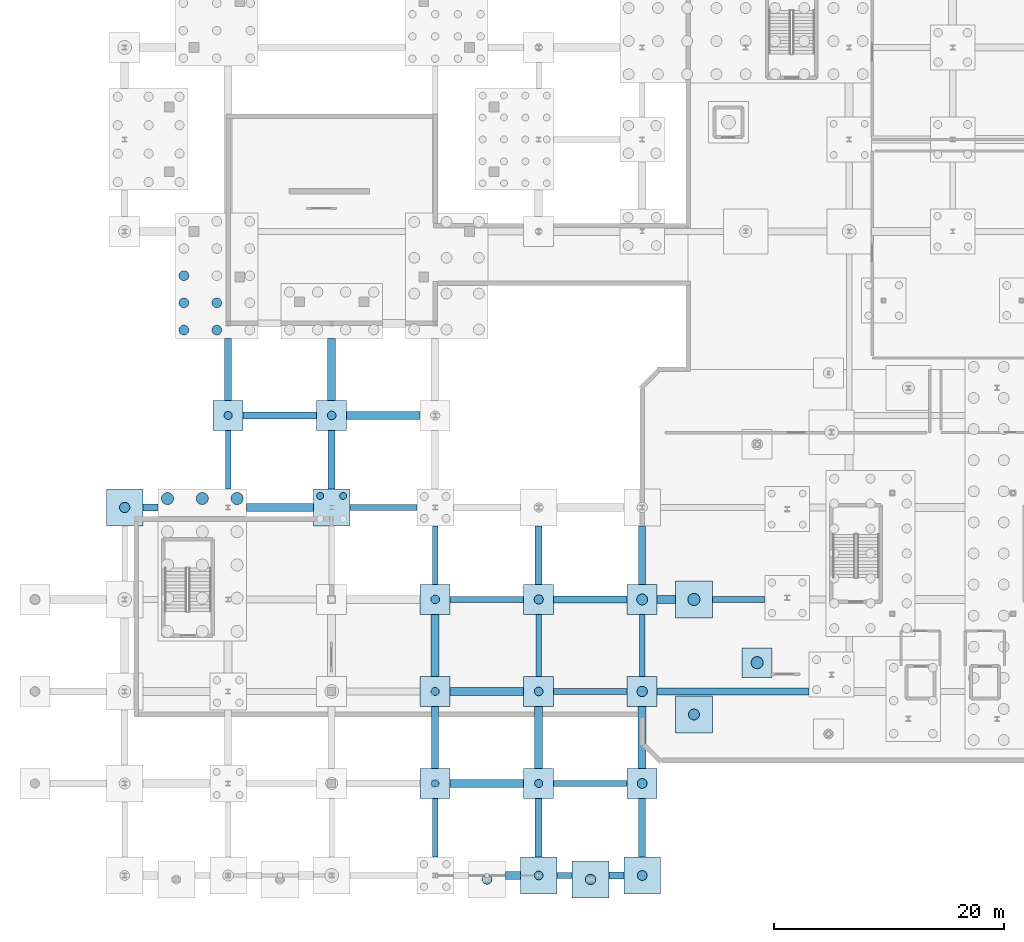
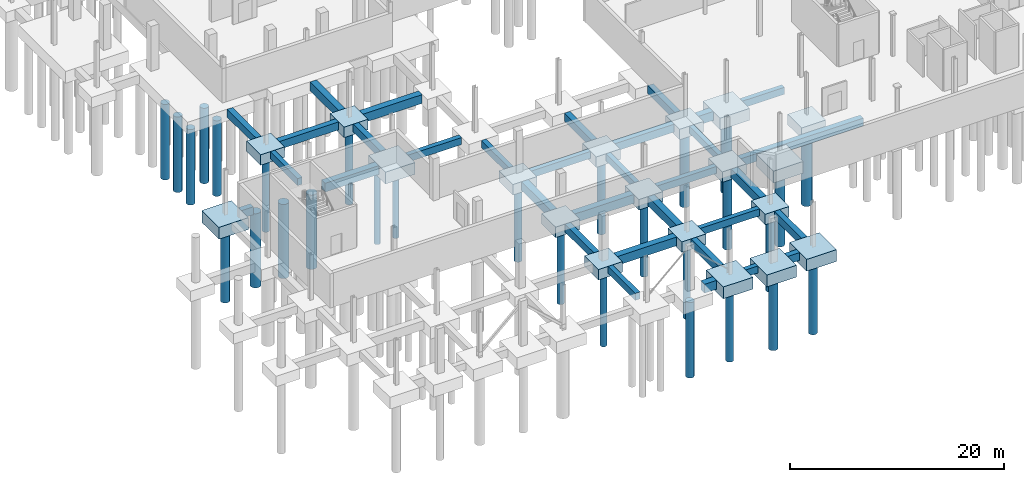
# One storey, part 2 of 37: 52 footings, 29 piles.
"""IFC4 building model written with IfcOpenShell, lengths in metres."""

from ifc_helpers import new_model, si_unit, direction, frame, origin, origin_2d, place, context, subcontext, project, spatial, polyline, rectangle, circle, outline, extrude, material, material_profile, profile_set, type_object, element, save


model = new_model("IFC4")

# Units and contexts
model_context = context("Model", 3, precision=1e-05, world=origin(), true_north=direction((0.0, 1.0)))
body_context = subcontext(model_context, "Body", "Model", "MODEL_VIEW")
ifc_project = project(units=[si_unit("LENGTHUNIT", "METRE"), si_unit("AREAUNIT", "SQUARE_METRE"), si_unit("VOLUMEUNIT", "CUBIC_METRE"), si_unit("PLANEANGLEUNIT", "RADIAN"), si_unit("MASSUNIT", "GRAM", prefix="KILO"), si_unit("THERMODYNAMICTEMPERATUREUNIT", "KELVIN"), si_unit("POWERUNIT", "WATT")], contexts=[model_context])

# Site, building, storey
site_placement = place(None, origin())
site = spatial("IfcSite", under=ifc_project, at=site_placement, CompositionType="ELEMENT")
building_placement = place(site_placement, origin())
building = spatial("IfcBuilding", under=site, at=building_placement, Name="Zelmaris Science Centre", CompositionType="ELEMENT")
storey_placement = place(building_placement, frame((0.0, 0.0, -4.800048828125)))
storey = spatial("IfcBuildingStorey", under=building, at=storey_placement, Name="B1", CompositionType="ELEMENT", Elevation=-4.800048828125)

# Footings
ifc_material = material(Name="Concrete C40/50", Category="concrete")
ifc_material_profile_1 = material_profile(ifc_material, rectangle(XDim=0.5, YDim=0.800048828125, at=origin_2d()), Name="FB-500X800")
ifc_profile_set_1 = profile_set([ifc_material_profile_1], Name="Concrete C40/50")
footing_type_1 = type_object("IfcFootingType", Name="Foundation Tie Beam FB-01 500x800", PredefinedType="FOOTING_BEAM", material=ifc_profile_set_1)
for number, where, z_axis, x_axis, name in (
    (1, (18.0, 41.60009765625, -0.75), (0.0, 1.0, 0.0), (-1.0, 0.0, 0.0), "Foundation tie beam 10"),
    (2, (36.0, 9.60009765625, -0.75), (0.0, 1.0, 0.0), (-1.0, 0.0, 0.0), "Foundation tie beam 19"),
    (3, (36.0, 33.300048828125, -0.75), (0.0, 1.0, 0.0), (-1.0, 0.0, 0.0), "Foundation tie beam 22"),
):
    element("IfcFooting", number, at=place(storey_placement, frame(where, z_axis=z_axis, x_axis=x_axis)), inside=storey, type_object=footing_type_1, Name=name, PredefinedType="FOOTING_BEAM", context=body_context, shape_type="SweptSolid", body=[
        extrude(rectangle(XDim=0.5, YDim=0.800048828125, at=origin_2d()), origin(), (0.0, 0.0, 1.0), 5.099853515625),
    ])
for number, where, z_axis, x_axis, name in (
    (4, (45.0, 25.300048828125, -0.75), (0.0, 1.0, 0.0), (-1.0, 0.0, 0.0), "Foundation tie beam 28"),
    (5, (54.0, 25.300048828125, -0.75), (0.0, 1.0, 0.0), (-1.0, 0.0, 0.0), "Foundation tie beam 34"),
):
    element("IfcFooting", number, at=place(storey_placement, frame(where, z_axis=z_axis, x_axis=x_axis)), inside=storey, type_object=footing_type_1, Name=name, PredefinedType="FOOTING_BEAM", context=body_context, shape_type="SweptSolid", body=[
        extrude(rectangle(XDim=0.5, YDim=0.800048828125, at=origin_2d()), origin(), (0.0, 0.0, 1.0), 5.39990234375),
    ])
footing_1_placement = place(storey_placement, frame((46.60009765625, 8.0, -0.75), z_axis=(1.0, 0.0, 0.0), x_axis=(0.0, 1.0, 0.0)))
element("IfcFooting", 6, at=footing_1_placement, inside=storey, type_object=footing_type_1, Name="Foundation tie beam 91", PredefinedType="FOOTING_BEAM", context=body_context, shape_type="SweptSolid", body=[
    extrude(rectangle(XDim=0.5, YDim=0.800048828125, at=origin_2d()), origin(), (0.0, 0.0, 1.0), 1.2998046875),
])
for number, where, z_axis, x_axis, name in (
    (7, (46.300048828125, 16.0, -0.75), (1.0, 0.0, 0.0), (0.0, 1.0, 0.0), "Foundation tie beam 103"),
    (8, (46.300048828125, 24.0, -0.75), (1.0, 0.0, 0.0), (0.0, 1.0, 0.0), "Foundation tie beam 115"),
    (9, (37.300048828125, 32.0, -0.75), (1.0, 0.0, 0.0), (0.0, 1.0, 0.0), "Foundation tie beam 130"),
):
    element("IfcFooting", number, at=place(storey_placement, frame(where, z_axis=z_axis, x_axis=x_axis)), inside=storey, type_object=footing_type_1, Name=name, PredefinedType="FOOTING_BEAM", context=body_context, shape_type="SweptSolid", body=[
        extrude(rectangle(XDim=0.5, YDim=0.800048828125, at=origin_2d()), origin(), (0.0, 0.0, 1.0), 6.39990234375),
    ])
footing_2_placement = place(storey_placement, frame((60.10009765625, 32.0, -0.75), z_axis=(1.0, 0.0, 0.0), x_axis=(0.0, 1.0, 0.0)))
element("IfcFooting", 10, at=footing_2_placement, inside=storey, type_object=footing_type_1, Name="Foundation tie beam 133", PredefinedType="FOOTING_BEAM", context=body_context, shape_type="SweptSolid", body=[
    extrude(rectangle(XDim=0.5, YDim=0.800048828125, at=origin_2d()), origin(), (0.0, 0.0, 1.0), 4.557861328125),
])
footing_3_placement = place(storey_placement, frame((28.60009765625, 40.0, -0.75), z_axis=(1.0, 0.0, 0.0), x_axis=(0.0, 1.0, 0.0)))
element("IfcFooting", 11, at=footing_3_placement, inside=storey, type_object=footing_type_1, Name="Foundation tie beam 145", PredefinedType="FOOTING_BEAM", context=body_context, shape_type="SweptSolid", body=[
    extrude(rectangle(XDim=0.5, YDim=0.800048828125, at=origin_2d()), origin(), (0.0, 0.0, 1.0), 5.7998046875),
])
ifc_material_profile_2 = material_profile(ifc_material, rectangle(XDim=0.60009765625, YDim=0.89990234375, at=origin_2d()), Name="FB-600X900")
ifc_profile_set_2 = profile_set([ifc_material_profile_2], Name="Concrete C40/50")
footing_type_2 = type_object("IfcFootingType", Name="Foundation Tie Beam FB-02 600x900", PredefinedType="FOOTING_BEAM", material=ifc_profile_set_2)
footing_4_placement = place(storey_placement, frame((18.0, 49.300048828125, -0.800048828125), z_axis=(0.0, 1.0, 0.0), x_axis=(-1.0, 0.0, 0.0)))
element("IfcFooting", 12, at=footing_4_placement, inside=storey, type_object=footing_type_2, Name="Foundation tie beam 11", PredefinedType="FOOTING_BEAM", context=body_context, shape_type="SweptSolid", body=[
    extrude(rectangle(XDim=0.60009765625, YDim=0.89990234375, at=origin_2d()), origin(), (0.0, 0.0, 1.0), 5.39990234375),
])
footing_5_placement = place(storey_placement, frame((27.0, 41.60009765625, -0.800048828125), z_axis=(0.0, 1.0, 0.0), x_axis=(-1.0, 0.0, 0.0)))
element("IfcFooting", 13, at=footing_5_placement, inside=storey, type_object=footing_type_2, Name="Foundation tie beam 17", PredefinedType="FOOTING_BEAM", context=body_context, shape_type="SweptSolid", body=[
    extrude(rectangle(XDim=0.60009765625, YDim=0.89990234375, at=origin_2d()), origin(), (0.0, 0.0, 1.0), 5.099853515625),
])
footing_6_placement = place(storey_placement, frame((36.0, 17.300048828125, -0.800048828125), z_axis=(0.0, 1.0, 0.0), x_axis=(-1.0, 0.0, 0.0)))
element("IfcFooting", 14, at=footing_6_placement, inside=storey, type_object=footing_type_2, Name="Foundation tie beam 20", PredefinedType="FOOTING_BEAM", context=body_context, shape_type="SweptSolid", body=[
    extrude(rectangle(XDim=0.60009765625, YDim=0.89990234375, at=origin_2d()), origin(), (0.0, 0.0, 1.0), 5.39990234375),
])
for number, where, z_axis, x_axis, name in (
    (15, (45.0, 9.60009765625, -0.800048828125), (0.0, 1.0, 0.0), (-1.0, 0.0, 0.0), "Foundation tie beam 26"),
    (16, (45.0, 33.300048828125, -0.800048828125), (0.0, 1.0, 0.0), (-1.0, 0.0, 0.0), "Foundation tie beam 29"),
    (17, (54.0, 9.60009765625, -0.800048828125), (0.0, 1.0, 0.0), (-1.0, 0.0, 0.0), "Foundation tie beam 32"),
    (18, (54.0, 33.300048828125, -0.800048828125), (0.0, 1.0, 0.0), (-1.0, 0.0, 0.0), "Foundation tie beam 35"),
):
    element("IfcFooting", number, at=place(storey_placement, frame(where, z_axis=z_axis, x_axis=x_axis)), inside=storey, type_object=footing_type_2, Name=name, PredefinedType="FOOTING_BEAM", context=body_context, shape_type="SweptSolid", body=[
        extrude(rectangle(XDim=0.60009765625, YDim=0.89990234375, at=origin_2d()), origin(), (0.0, 0.0, 1.0), 5.099853515625),
    ])
footing_7_placement = place(storey_placement, frame((51.10009765625, 8.0, -0.800048828125), z_axis=(1.0, 0.0, 0.0), x_axis=(0.0, 1.0, 0.0)))
element("IfcFooting", 19, at=footing_7_placement, inside=storey, type_object=footing_type_2, Name="Foundation tie beam 92", PredefinedType="FOOTING_BEAM", context=body_context, shape_type="SweptSolid", body=[
    extrude(rectangle(XDim=0.60009765625, YDim=0.89990234375, at=origin_2d()), origin(), (0.0, 0.0, 1.0), 1.2998046875),
])
footing_8_placement = place(storey_placement, frame((55.300048828125, 24.0, -0.800048828125), z_axis=(1.0, 0.0, 0.0), x_axis=(0.0, 1.0, 0.0)))
element("IfcFooting", 20, at=footing_8_placement, inside=storey, type_object=footing_type_2, Name="Foundation tie beam 116", PredefinedType="FOOTING_BEAM", context=body_context, shape_type="SweptSolid", body=[
    extrude(rectangle(XDim=0.60009765625, YDim=0.89990234375, at=origin_2d()), origin(), (0.0, 0.0, 1.0), 13.2138671875),
])
footing_9_placement = place(storey_placement, frame((46.300048828125, 32.0, -0.800048828125), z_axis=(1.0, 0.0, 0.0), x_axis=(0.0, 1.0, 0.0)))
element("IfcFooting", 21, at=footing_9_placement, inside=storey, type_object=footing_type_2, Name="Foundation tie beam 131", PredefinedType="FOOTING_BEAM", context=body_context, shape_type="SweptSolid", body=[
    extrude(rectangle(XDim=0.60009765625, YDim=0.89990234375, at=origin_2d()), origin(), (0.0, 0.0, 1.0), 6.39990234375),
])
footing_10_placement = place(storey_placement, frame((10.60009765625, 40.0, -0.800048828125), z_axis=(1.0, 0.0, 0.0), x_axis=(0.0, 1.0, 0.0)))
element("IfcFooting", 22, at=footing_10_placement, inside=storey, type_object=footing_type_2, Name="Foundation tie beam 143", PredefinedType="FOOTING_BEAM", context=body_context, shape_type="SweptSolid", body=[
    extrude(rectangle(XDim=0.60009765625, YDim=0.89990234375, at=origin_2d()), origin(), (0.0, 0.0, 1.0), 1.2998046875),
])
footing_11_placement = place(storey_placement, frame((19.300048828125, 48.0, -0.800048828125), z_axis=(1.0, 0.0, 0.0), x_axis=(0.0, 1.0, 0.0)))
element("IfcFooting", 23, at=footing_11_placement, inside=storey, type_object=footing_type_2, Name="Foundation tie beam 155", PredefinedType="FOOTING_BEAM", context=body_context, shape_type="SweptSolid", body=[
    extrude(rectangle(XDim=0.60009765625, YDim=0.89990234375, at=origin_2d()), origin(), (0.0, 0.0, 1.0), 6.39990234375),
])
ifc_material_profile_3 = material_profile(ifc_material, rectangle(XDim=0.699951171875, YDim=1.0, at=origin_2d()), Name="FB-700X1000")
ifc_profile_set_3 = profile_set([ifc_material_profile_3], Name="Concrete C40/50")
footing_type_3 = type_object("IfcFootingType", Name="Foundation Tie Beam FB-03 700x1000", PredefinedType="FOOTING_BEAM", material=ifc_profile_set_3)
for number, where, z_axis, x_axis, name in (
    (24, (27.0, 49.300048828125, -0.849853515625), (0.0, 1.0, 0.0), (-1.0, 0.0, 0.0), "Foundation tie beam 18"),
    (25, (36.0, 25.300048828125, -0.849853515625), (0.0, 1.0, 0.0), (-1.0, 0.0, 0.0), "Foundation tie beam 21"),
    (26, (45.0, 17.300048828125, -0.849853515625), (0.0, 1.0, 0.0), (-1.0, 0.0, 0.0), "Foundation tie beam 27"),
    (27, (54.0, 17.300048828125, -0.849853515625), (0.0, 1.0, 0.0), (-1.0, 0.0, 0.0), "Foundation tie beam 33"),
):
    element("IfcFooting", number, at=place(storey_placement, frame(where, z_axis=z_axis, x_axis=x_axis)), inside=storey, type_object=footing_type_3, Name=name, PredefinedType="FOOTING_BEAM", context=body_context, shape_type="SweptSolid", body=[
        extrude(rectangle(XDim=0.699951171875, YDim=1.0, at=origin_2d()), origin(), (0.0, 0.0, 1.0), 5.39990234375),
    ])
footing_12_placement = place(storey_placement, frame((42.10009765625, 8.0, -0.849853515625), z_axis=(1.0, 0.0, 0.0), x_axis=(0.0, 1.0, 0.0)))
element("IfcFooting", 28, at=footing_12_placement, inside=storey, type_object=footing_type_3, Name="Foundation tie beam 90", PredefinedType="FOOTING_BEAM", context=body_context, shape_type="SweptSolid", body=[
    extrude(rectangle(XDim=0.699951171875, YDim=1.0, at=origin_2d()), origin(), (0.0, 0.0, 1.0), 1.2998046875),
])
for number, where, z_axis, x_axis, name in (
    (29, (37.300048828125, 16.0, -0.849853515625), (1.0, 0.0, 0.0), (0.0, 1.0, 0.0), "Foundation tie beam 102"),
    (30, (37.300048828125, 24.0, -0.849853515625), (1.0, 0.0, 0.0), (0.0, 1.0, 0.0), "Foundation tie beam 114"),
):
    element("IfcFooting", number, at=place(storey_placement, frame(where, z_axis=z_axis, x_axis=x_axis)), inside=storey, type_object=footing_type_3, Name=name, PredefinedType="FOOTING_BEAM", context=body_context, shape_type="SweptSolid", body=[
        extrude(rectangle(XDim=0.699951171875, YDim=1.0, at=origin_2d()), origin(), (0.0, 0.0, 1.0), 6.39990234375),
    ])
footing_13_placement = place(storey_placement, frame((55.300048828125, 32.0, -0.849853515625), z_axis=(1.0, 0.0, 0.0), x_axis=(0.0, 1.0, 0.0)))
element("IfcFooting", 31, at=footing_13_placement, inside=storey, type_object=footing_type_3, Name="Foundation tie beam 132", PredefinedType="FOOTING_BEAM", context=body_context, shape_type="SweptSolid", body=[
    extrude(rectangle(XDim=0.699951171875, YDim=1.0, at=origin_2d()), origin(), (0.0, 0.0, 1.0), 1.599853515625),
])
footing_14_placement = place(storey_placement, frame((19.60009765625, 40.0, -0.849853515625), z_axis=(1.0, 0.0, 0.0), x_axis=(0.0, 1.0, 0.0)))
element("IfcFooting", 32, at=footing_14_placement, inside=storey, type_object=footing_type_3, Name="Foundation tie beam 144", PredefinedType="FOOTING_BEAM", context=body_context, shape_type="SweptSolid", body=[
    extrude(rectangle(XDim=0.699951171875, YDim=1.0, at=origin_2d()), origin(), (0.0, 0.0, 1.0), 5.7998046875),
])
footing_15_placement = place(storey_placement, frame((28.300048828125, 48.0, -0.849853515625), z_axis=(1.0, 0.0, 0.0), x_axis=(0.0, 1.0, 0.0)))
element("IfcFooting", 33, at=footing_15_placement, inside=storey, type_object=footing_type_3, Name="Foundation tie beam 156", PredefinedType="FOOTING_BEAM", context=body_context, shape_type="SweptSolid", body=[
    extrude(rectangle(XDim=0.699951171875, YDim=1.0, at=origin_2d()), origin(), (0.0, 0.0, 1.0), 6.39990234375),
])
footing_type_4 = type_object("IfcFootingType", Name="Pile Cap PCM-2626 2600x2600x1200", PredefinedType="PILE_CAP", material=ifc_material)
footing_16_placement = place(storey_placement, frame((0.0, 0.0, -1.550048828125)))
element("IfcFooting", 34, at=footing_16_placement, inside=storey, type_object=footing_type_4, Name="Pile cap 13", PredefinedType="PILE_CAP", context=body_context, shape_type="SweptSolid", body=[
    extrude(outline(polyline([(16.699951171875, 46.699951171875), (19.300048828125, 46.699951171875), (19.300048828125, 49.300048828125), (16.699951171875, 49.300048828125), (16.699951171875, 46.699951171875)])), origin(), (0.0, 0.0, 1.0), 1.2001953125),
])
footing_17_placement = place(storey_placement, frame((0.0, 0.0, -1.550048828125)))
element("IfcFooting", 35, at=footing_17_placement, inside=storey, type_object=footing_type_4, Name="Pile cap 14", PredefinedType="PILE_CAP", context=body_context, shape_type="SweptSolid", body=[
    extrude(outline(polyline([(25.699951171875, 46.699951171875), (28.300048828125, 46.699951171875), (28.300048828125, 49.300048828125), (25.699951171875, 49.300048828125), (25.699951171875, 46.699951171875)])), origin(), (0.0, 0.0, 1.0), 1.2001953125),
])
footing_18_placement = place(storey_placement, frame((0.0, 0.0, -1.550048828125)))
element("IfcFooting", 36, at=footing_18_placement, inside=storey, type_object=footing_type_4, Name="Pile cap 33", PredefinedType="PILE_CAP", context=body_context, shape_type="SweptSolid", body=[
    extrude(outline(polyline([(43.699951171875, 14.699951171875), (46.300048828125, 14.699951171875), (46.300048828125, 17.300048828125), (43.699951171875, 17.300048828125), (43.699951171875, 14.699951171875)])), origin(), (0.0, 0.0, 1.0), 1.2001953125),
])
footing_19_placement = place(storey_placement, frame((0.0, 0.0, -1.550048828125)))
element("IfcFooting", 37, at=footing_19_placement, inside=storey, type_object=footing_type_4, Name="Pile cap 34", PredefinedType="PILE_CAP", context=body_context, shape_type="SweptSolid", body=[
    extrude(outline(polyline([(43.699951171875, 22.699951171875), (46.300048828125, 22.699951171875), (46.300048828125, 25.300048828125), (43.699951171875, 25.300048828125), (43.699951171875, 22.699951171875)])), origin(), (0.0, 0.0, 1.0), 1.2001953125),
])
footing_20_placement = place(storey_placement, frame((0.0, 0.0, -1.550048828125)))
element("IfcFooting", 38, at=footing_20_placement, inside=storey, type_object=footing_type_4, Name="Pile cap 35", PredefinedType="PILE_CAP", context=body_context, shape_type="SweptSolid", body=[
    extrude(outline(polyline([(43.699951171875, 30.699951171875), (46.300048828125, 30.699951171875), (46.300048828125, 33.300048828125), (43.699951171875, 33.300048828125), (43.699951171875, 30.699951171875)])), origin(), (0.0, 0.0, 1.0), 1.2001953125),
])
footing_21_placement = place(storey_placement, frame((0.0, 0.0, -1.550048828125)))
element("IfcFooting", 39, at=footing_21_placement, inside=storey, type_object=footing_type_4, Name="Pile cap 36", PredefinedType="PILE_CAP", context=body_context, shape_type="SweptSolid", body=[
    extrude(outline(polyline([(52.699951171875, 14.699951171875), (55.300048828125, 14.699951171875), (55.300048828125, 17.300048828125), (52.699951171875, 17.300048828125), (52.699951171875, 14.699951171875)])), origin(), (0.0, 0.0, 1.0), 1.2001953125),
])
footing_22_placement = place(storey_placement, frame((0.0, 0.0, -1.550048828125)))
element("IfcFooting", 40, at=footing_22_placement, inside=storey, type_object=footing_type_4, Name="Pile cap 37", PredefinedType="PILE_CAP", context=body_context, shape_type="SweptSolid", body=[
    extrude(outline(polyline([(52.699951171875, 22.699951171875), (55.300048828125, 22.699951171875), (55.300048828125, 25.300048828125), (52.699951171875, 25.300048828125), (52.699951171875, 22.699951171875)])), origin(), (0.0, 0.0, 1.0), 1.2001953125),
])
footing_23_placement = place(storey_placement, frame((0.0, 0.0, -1.550048828125)))
element("IfcFooting", 41, at=footing_23_placement, inside=storey, type_object=footing_type_4, Name="Pile cap 38", PredefinedType="PILE_CAP", context=body_context, shape_type="SweptSolid", body=[
    extrude(outline(polyline([(52.699951171875, 30.699951171875), (55.300048828125, 30.699951171875), (55.300048828125, 33.300048828125), (52.699951171875, 33.300048828125), (52.699951171875, 30.699951171875)])), origin(), (0.0, 0.0, 1.0), 1.2001953125),
])
footing_24_placement = place(storey_placement, frame((0.0, 0.0, -1.550048828125)))
element("IfcFooting", 42, at=footing_24_placement, inside=storey, type_object=footing_type_4, Name="Pile cap 42", PredefinedType="PILE_CAP", context=body_context, shape_type="SweptSolid", body=[
    extrude(outline(polyline([(34.699951171875, 14.699951171875), (37.300048828125, 14.699951171875), (37.300048828125, 17.300048828125), (34.699951171875, 17.300048828125), (34.699951171875, 14.699951171875)])), origin(), (0.0, 0.0, 1.0), 1.2001953125),
])
footing_25_placement = place(storey_placement, frame((0.0, 0.0, -1.550048828125)))
element("IfcFooting", 43, at=footing_25_placement, inside=storey, type_object=footing_type_4, Name="Pile cap 43", PredefinedType="PILE_CAP", context=body_context, shape_type="SweptSolid", body=[
    extrude(outline(polyline([(34.699951171875, 22.699951171875), (37.300048828125, 22.699951171875), (37.300048828125, 25.300048828125), (34.699951171875, 25.300048828125), (34.699951171875, 22.699951171875)])), origin(), (0.0, 0.0, 1.0), 1.2001953125),
])
footing_26_placement = place(storey_placement, frame((0.0, 0.0, -1.550048828125)))
element("IfcFooting", 44, at=footing_26_placement, inside=storey, type_object=footing_type_4, Name="Pile cap 44", PredefinedType="PILE_CAP", context=body_context, shape_type="SweptSolid", body=[
    extrude(outline(polyline([(34.699951171875, 30.699951171875), (37.300048828125, 30.699951171875), (37.300048828125, 33.300048828125), (34.699951171875, 33.300048828125), (34.699951171875, 30.699951171875)])), origin(), (0.0, 0.0, 1.0), 1.2001953125),
])
footing_27_placement = place(storey_placement, frame((0.0, 0.0, -1.550048828125)))
element("IfcFooting", 45, at=footing_27_placement, inside=storey, type_object=footing_type_4, Name="Pile cap 59", PredefinedType="PILE_CAP", context=body_context, shape_type="SweptSolid", body=[
    extrude(outline(polyline([(62.699951171875, 25.199951171875), (65.300048828125, 25.199951171875), (65.300048828125, 27.800048828125), (62.699951171875, 27.800048828125), (62.699951171875, 25.199951171875)])), origin(), (0.0, 0.0, 1.0), 1.2001953125),
])
footing_type_5 = type_object("IfcFootingType", Name="Pile Cap PCM-3232 3200x3200x1350", PredefinedType="PILE_CAP", material=ifc_material)
footing_28_placement = place(storey_placement, frame((0.0, 0.0, -1.699951171875)))
element("IfcFooting", 46, at=footing_28_placement, inside=storey, type_object=footing_type_5, Name="Pile cap 17", PredefinedType="PILE_CAP", context=body_context, shape_type="SweptSolid", body=[
    extrude(outline(polyline([(7.39990234375, 38.39990234375), (10.60009765625, 38.39990234375), (10.60009765625, 41.60009765625), (7.39990234375, 41.60009765625), (7.39990234375, 38.39990234375)])), origin(), (0.0, 0.0, 1.0), 1.35009765625),
])
footing_29_placement = place(storey_placement, frame((0.0, 0.0, -1.699951171875)))
element("IfcFooting", 47, at=footing_29_placement, inside=storey, type_object=footing_type_5, Name="Pile cap 21", PredefinedType="PILE_CAP", context=body_context, shape_type="SweptSolid", body=[
    extrude(outline(polyline([(25.39990234375, 38.39990234375), (28.60009765625, 38.39990234375), (28.60009765625, 41.60009765625), (25.39990234375, 41.60009765625), (25.39990234375, 38.39990234375)])), origin(), (0.0, 0.0, 1.0), 1.35009765625),
])
footing_30_placement = place(storey_placement, frame((0.0, 0.0, -1.699951171875)))
element("IfcFooting", 48, at=footing_30_placement, inside=storey, type_object=footing_type_5, Name="Pile cap 24", PredefinedType="PILE_CAP", context=body_context, shape_type="SweptSolid", body=[
    extrude(outline(polyline([(43.39990234375, 6.39990234375), (46.60009765625, 6.39990234375), (46.60009765625, 9.60009765625), (43.39990234375, 9.60009765625), (43.39990234375, 6.39990234375)])), origin(), (0.0, 0.0, 1.0), 1.35009765625),
])
footing_31_placement = place(storey_placement, frame((0.0, 0.0, -1.699951171875)))
element("IfcFooting", 49, at=footing_31_placement, inside=storey, type_object=footing_type_5, Name="Pile cap 26", PredefinedType="PILE_CAP", context=body_context, shape_type="SweptSolid", body=[
    extrude(outline(polyline([(52.39990234375, 6.39990234375), (55.60009765625, 6.39990234375), (55.60009765625, 9.60009765625), (52.39990234375, 9.60009765625), (52.39990234375, 6.39990234375)])), origin(), (0.0, 0.0, 1.0), 1.35009765625),
])
footing_32_placement = place(storey_placement, frame((0.0, 0.0, -1.699951171875)))
element("IfcFooting", 50, at=footing_32_placement, inside=storey, type_object=footing_type_5, Name="Pile cap 118", PredefinedType="PILE_CAP", context=body_context, shape_type="SweptSolid", body=[
    extrude(outline(polyline([(56.89990234375, 20.39990234375), (60.10009765625, 20.39990234375), (60.10009765625, 23.60009765625), (56.89990234375, 23.60009765625), (56.89990234375, 20.39990234375)])), origin(), (0.0, 0.0, 1.0), 1.35009765625),
])
footing_33_placement = place(storey_placement, frame((0.0, 0.0, -1.699951171875)))
element("IfcFooting", 51, at=footing_33_placement, inside=storey, type_object=footing_type_5, Name="Pile cap 119", PredefinedType="PILE_CAP", context=body_context, shape_type="SweptSolid", body=[
    extrude(outline(polyline([(56.89990234375, 30.39990234375), (60.10009765625, 30.39990234375), (60.10009765625, 33.60009765625), (56.89990234375, 33.60009765625), (56.89990234375, 30.39990234375)])), origin(), (0.0, 0.0, 1.0), 1.35009765625),
])
footing_34_placement = place(storey_placement, frame((0.0, 0.0, -1.699951171875)))
element("IfcFooting", 52, at=footing_34_placement, inside=storey, type_object=footing_type_5, Name="Pile cap 127", PredefinedType="PILE_CAP", context=body_context, shape_type="SweptSolid", body=[
    extrude(outline(polyline([(47.89990234375, 6.050048828125), (51.10009765625, 6.050048828125), (51.10009765625, 9.25), (47.89990234375, 9.25), (47.89990234375, 6.050048828125)])), origin(), (0.0, 0.0, 1.0), 1.35009765625),
])

# Piles
ifc_material_profile_4 = material_profile(ifc_material, circle(Radius=0.52490234375, at=origin_2d()), Name="PILE-1050")
ifc_profile_set_4 = profile_set([ifc_material_profile_4], Name="Concrete C40/50")
pile_type_1 = type_object("IfcPileType", Name="Pile PL-1050 D1050", PredefinedType="BORED", material=ifc_profile_set_4)
for number, where, z_axis, x_axis, name in (
    (53, (12.72509765625, 40.77490234375, -1.72998046875), (0.0, 0.0, -1.0), (1.0, 0.0, 0.0), "Bored pile 19-5"),
    (54, (15.75, 40.77490234375, -1.72998046875), (0.0, 0.0, -1.0), (1.0, 0.0, 0.0), "Bored pile 19-10"),
    (55, (18.77490234375, 40.77490234375, -1.72998046875), (0.0, 0.0, -1.0), (1.0, 0.0, 0.0), "Bored pile 19-15"),
):
    element("IfcPile", number, at=place(storey_placement, frame(where, z_axis=z_axis, x_axis=x_axis)), inside=storey, type_object=pile_type_1, Name=name, PredefinedType="BORED", context=body_context, shape_type="SweptSolid", body=[
        extrude(circle(Radius=0.52490234375, at=origin_2d()), origin(), (0.0, 0.0, 1.0), 8.469970703125),
    ])
pile_1_placement = place(storey_placement, frame((64.0, 26.5, -1.429931640625), z_axis=(0.0, 0.0, -1.0), x_axis=(1.0, 0.0, 0.0)))
element("IfcPile", 56, at=pile_1_placement, inside=storey, type_object=pile_type_1, Name="Bored pile 59-1", PredefinedType="BORED", context=body_context, shape_type="SweptSolid", body=[
    extrude(circle(Radius=0.52490234375, at=origin_2d()), origin(), (0.0, 0.0, 1.0), 8.77001953125),
])
pile_2_placement = place(storey_placement, frame((58.5, 32.0, -1.579833984375), z_axis=(0.0, 0.0, -1.0), x_axis=(1.0, 0.0, 0.0)))
element("IfcPile", 57, at=pile_2_placement, inside=storey, type_object=pile_type_1, Name="Bored pile 119-1", PredefinedType="BORED", context=body_context, shape_type="SweptSolid", body=[
    extrude(circle(Radius=0.52490234375, at=origin_2d()), origin(), (0.0, 0.0, 1.0), 8.6201171875),
])
ifc_material_profile_5 = material_profile(ifc_material, circle(Radius=0.300048828125, at=origin_2d()), Name="PILE-600")
ifc_profile_set_5 = profile_set([ifc_material_profile_5], Name="Concrete C40/50")
pile_type_2 = type_object("IfcPileType", Name="Pile PL-600 D600", PredefinedType="BORED", material=ifc_profile_set_5)
for number, where, z_axis, x_axis, name in (
    (58, (26.0, 41.0, -1.579833984375), (0.0, 0.0, -1.0), (1.0, 0.0, 0.0), "Bored pile 21-2"),
    (59, (28.0, 41.0, -1.579833984375), (0.0, 0.0, -1.0), (1.0, 0.0, 0.0), "Bored pile 21-4"),
):
    element("IfcPile", number, at=place(storey_placement, frame(where, z_axis=z_axis, x_axis=x_axis)), inside=storey, type_object=pile_type_2, Name=name, PredefinedType="BORED", context=body_context, shape_type="SweptSolid", body=[
        extrude(circle(Radius=0.300048828125, at=origin_2d()), origin(), (0.0, 0.0, 1.0), 8.6201171875),
    ])
ifc_material_profile_6 = material_profile(ifc_material, circle(Radius=0.324951171875, at=origin_2d()), Name="PILE-650")
ifc_profile_set_6 = profile_set([ifc_material_profile_6], Name="Concrete C40/50")
pile_type_3 = type_object("IfcPileType", Name="Pile PL-650 D650", PredefinedType="BORED", material=ifc_profile_set_6)
pile_3_placement = place(storey_placement, frame((36.0, 16.0, -1.429931640625), z_axis=(0.0, 0.0, -1.0), x_axis=(1.0, 0.0, 0.0)))
element("IfcPile", 60, at=pile_3_placement, inside=storey, type_object=pile_type_3, Name="Bored pile 42-1", PredefinedType="BORED", context=body_context, shape_type="SweptSolid", body=[
    extrude(circle(Radius=0.324951171875, at=origin_2d()), origin(), (0.0, 0.0, 1.0), 8.77001953125),
])
ifc_material_profile_7 = material_profile(ifc_material, circle(Radius=0.35009765625, at=origin_2d()), Name="PILE-700")
ifc_profile_set_7 = profile_set([ifc_material_profile_7], Name="Concrete C40/50")
pile_type_4 = type_object("IfcPileType", Name="Pile PL-700 D700", PredefinedType="BORED", material=ifc_profile_set_7)
for number, where, z_axis, x_axis, name in (
    (61, (18.0, 48.0, -1.429931640625), (0.0, 0.0, -1.0), (1.0, 0.0, 0.0), "Bored pile 13-1"),
    (62, (45.0, 16.0, -1.429931640625), (0.0, 0.0, -1.0), (1.0, 0.0, 0.0), "Bored pile 33-1"),
    (63, (36.0, 24.0, -1.429931640625), (0.0, 0.0, -1.0), (1.0, 0.0, 0.0), "Bored pile 43-1"),
):
    element("IfcPile", number, at=place(storey_placement, frame(where, z_axis=z_axis, x_axis=x_axis)), inside=storey, type_object=pile_type_4, Name=name, PredefinedType="BORED", context=body_context, shape_type="SweptSolid", body=[
        extrude(circle(Radius=0.35009765625, at=origin_2d()), origin(), (0.0, 0.0, 1.0), 8.77001953125),
    ])
ifc_material_profile_8 = material_profile(ifc_material, circle(Radius=0.375, at=origin_2d()), Name="PILE-750")
ifc_profile_set_8 = profile_set([ifc_material_profile_8], Name="Concrete C40/50")
pile_type_5 = type_object("IfcPileType", Name="Pile PL-750 D750", PredefinedType="BORED", material=ifc_profile_set_8)
pile_4_placement = place(storey_placement, frame((27.0, 48.0, -1.429931640625), z_axis=(0.0, 0.0, -1.0), x_axis=(1.0, 0.0, 0.0)))
element("IfcPile", 64, at=pile_4_placement, inside=storey, type_object=pile_type_5, Name="Bored pile 14-1", PredefinedType="BORED", context=body_context, shape_type="SweptSolid", body=[
    extrude(circle(Radius=0.375, at=origin_2d()), origin(), (0.0, 0.0, 1.0), 8.77001953125),
])
pile_5_placement = place(storey_placement, frame((45.0, 8.0, -1.579833984375), z_axis=(0.0, 0.0, -1.0), x_axis=(1.0, 0.0, 0.0)))
element("IfcPile", 65, at=pile_5_placement, inside=storey, type_object=pile_type_5, Name="Bored pile 24-1", PredefinedType="BORED", context=body_context, shape_type="SweptSolid", body=[
    extrude(circle(Radius=0.375, at=origin_2d()), origin(), (0.0, 0.0, 1.0), 8.6201171875),
])
for number, where, z_axis, x_axis, name in (
    (66, (45.0, 24.0, -1.429931640625), (0.0, 0.0, -1.0), (1.0, 0.0, 0.0), "Bored pile 34-1"),
    (67, (36.0, 32.0, -1.429931640625), (0.0, 0.0, -1.0), (1.0, 0.0, 0.0), "Bored pile 44-1"),
):
    element("IfcPile", number, at=place(storey_placement, frame(where, z_axis=z_axis, x_axis=x_axis)), inside=storey, type_object=pile_type_5, Name=name, PredefinedType="BORED", context=body_context, shape_type="SweptSolid", body=[
        extrude(circle(Radius=0.375, at=origin_2d()), origin(), (0.0, 0.0, 1.0), 8.77001953125),
    ])
ifc_material_profile_9 = material_profile(ifc_material, circle(Radius=0.39990234375, at=origin_2d()), Name="PILE-800")
ifc_profile_set_9 = profile_set([ifc_material_profile_9], Name="Concrete C40/50")
pile_type_6 = type_object("IfcPileType", Name="Pile PL-800 D800", PredefinedType="BORED", material=ifc_profile_set_9)
pile_6_placement = place(storey_placement, frame((45.0, 32.0, -1.429931640625), z_axis=(0.0, 0.0, -1.0), x_axis=(1.0, 0.0, 0.0)))
element("IfcPile", 68, at=pile_6_placement, inside=storey, type_object=pile_type_6, Name="Bored pile 35-1", PredefinedType="BORED", context=body_context, shape_type="SweptSolid", body=[
    extrude(circle(Radius=0.39990234375, at=origin_2d()), origin(), (0.0, 0.0, 1.0), 8.77001953125),
])
ifc_material_profile_10 = material_profile(ifc_material, circle(Radius=0.425048828125, at=origin_2d()), Name="PILE-850")
ifc_profile_set_10 = profile_set([ifc_material_profile_10], Name="Concrete C40/50")
pile_type_7 = type_object("IfcPileType", Name="Pile PL-850 D850", PredefinedType="BORED", material=ifc_profile_set_10)
for number, where, z_axis, x_axis, name in (
    (69, (14.152099609375, 55.425048828125, -1.579833984375), (0.0, 0.0, -1.0), (1.0, 0.0, 0.0), "Bored pile 6-1"),
    (70, (14.152099609375, 57.78759765625, -1.579833984375), (0.0, 0.0, -1.0), (1.0, 0.0, 0.0), "Bored pile 6-2"),
    (71, (14.152099609375, 60.14990234375, -1.579833984375), (0.0, 0.0, -1.0), (1.0, 0.0, 0.0), "Bored pile 6-3"),
    (72, (17.013427734375, 55.425048828125, -1.579833984375), (0.0, 0.0, -1.0), (1.0, 0.0, 0.0), "Bored pile 6-6"),
    (73, (17.013427734375, 57.78759765625, -1.579833984375), (0.0, 0.0, -1.0), (1.0, 0.0, 0.0), "Bored pile 6-7"),
    (74, (54.0, 8.0, -1.579833984375), (0.0, 0.0, -1.0), (1.0, 0.0, 0.0), "Bored pile 26-1"),
):
    element("IfcPile", number, at=place(storey_placement, frame(where, z_axis=z_axis, x_axis=x_axis)), inside=storey, type_object=pile_type_7, Name=name, PredefinedType="BORED", context=body_context, shape_type="SweptSolid", body=[
        extrude(circle(Radius=0.425048828125, at=origin_2d()), origin(), (0.0, 0.0, 1.0), 8.6201171875),
    ])
pile_7_placement = place(storey_placement, frame((54.0, 16.0, -1.429931640625), z_axis=(0.0, 0.0, -1.0), x_axis=(1.0, 0.0, 0.0)))
element("IfcPile", 75, at=pile_7_placement, inside=storey, type_object=pile_type_7, Name="Bored pile 36-1", PredefinedType="BORED", context=body_context, shape_type="SweptSolid", body=[
    extrude(circle(Radius=0.425048828125, at=origin_2d()), origin(), (0.0, 0.0, 1.0), 8.77001953125),
])
pile_8_placement = place(storey_placement, frame((40.5, 7.64990234375, -1.579833984375), z_axis=(0.0, 0.0, -1.0), x_axis=(1.0, 0.0, 0.0)))
element("IfcPile", 76, at=pile_8_placement, inside=storey, type_object=pile_type_7, Name="Bored pile 126-1", PredefinedType="BORED", context=body_context, shape_type="SweptSolid", body=[
    extrude(circle(Radius=0.425048828125, at=origin_2d()), origin(), (0.0, 0.0, 1.0), 8.6201171875),
])
ifc_material_profile_11 = material_profile(ifc_material, circle(Radius=0.449951171875, at=origin_2d()), Name="PILE-900")
ifc_profile_set_11 = profile_set([ifc_material_profile_11], Name="Concrete C40/50")
pile_type_8 = type_object("IfcPileType", Name="Pile PL-900 D900", PredefinedType="BORED", material=ifc_profile_set_11)
pile_9_placement = place(storey_placement, frame((9.0, 40.0, -1.579833984375), z_axis=(0.0, 0.0, -1.0), x_axis=(1.0, 0.0, 0.0)))
element("IfcPile", 77, at=pile_9_placement, inside=storey, type_object=pile_type_8, Name="Bored pile 17-1", PredefinedType="BORED", context=body_context, shape_type="SweptSolid", body=[
    extrude(circle(Radius=0.449951171875, at=origin_2d()), origin(), (0.0, 0.0, 1.0), 8.6201171875),
])
pile_10_placement = place(storey_placement, frame((54.0, 24.0, -1.429931640625), z_axis=(0.0, 0.0, -1.0), x_axis=(1.0, 0.0, 0.0)))
element("IfcPile", 78, at=pile_10_placement, inside=storey, type_object=pile_type_8, Name="Bored pile 37-1", PredefinedType="BORED", context=body_context, shape_type="SweptSolid", body=[
    extrude(circle(Radius=0.449951171875, at=origin_2d()), origin(), (0.0, 0.0, 1.0), 8.77001953125),
])
pile_11_placement = place(storey_placement, frame((49.5, 7.64990234375, -1.579833984375), z_axis=(0.0, 0.0, -1.0), x_axis=(1.0, 0.0, 0.0)))
element("IfcPile", 79, at=pile_11_placement, inside=storey, type_object=pile_type_8, Name="Bored pile 127-1", PredefinedType="BORED", context=body_context, shape_type="SweptSolid", body=[
    extrude(circle(Radius=0.449951171875, at=origin_2d()), origin(), (0.0, 0.0, 1.0), 8.6201171875),
])
ifc_material_profile_12 = material_profile(ifc_material, circle(Radius=0.47509765625, at=origin_2d()), Name="PILE-950")
ifc_profile_set_12 = profile_set([ifc_material_profile_12], Name="Concrete C40/50")
pile_type_9 = type_object("IfcPileType", Name="Pile PL-950 D950", PredefinedType="BORED", material=ifc_profile_set_12)
pile_12_placement = place(storey_placement, frame((54.0, 32.0, -1.429931640625), z_axis=(0.0, 0.0, -1.0), x_axis=(1.0, 0.0, 0.0)))
element("IfcPile", 80, at=pile_12_placement, inside=storey, type_object=pile_type_9, Name="Bored pile 38-1", PredefinedType="BORED", context=body_context, shape_type="SweptSolid", body=[
    extrude(circle(Radius=0.47509765625, at=origin_2d()), origin(), (0.0, 0.0, 1.0), 8.77001953125),
])
pile_13_placement = place(storey_placement, frame((58.5, 22.0, -1.579833984375), z_axis=(0.0, 0.0, -1.0), x_axis=(1.0, 0.0, 0.0)))
element("IfcPile", 81, at=pile_13_placement, inside=storey, type_object=pile_type_9, Name="Bored pile 118-1", PredefinedType="BORED", context=body_context, shape_type="SweptSolid", body=[
    extrude(circle(Radius=0.47509765625, at=origin_2d()), origin(), (0.0, 0.0, 1.0), 8.6201171875),
])

save(model, "model.ifc")
